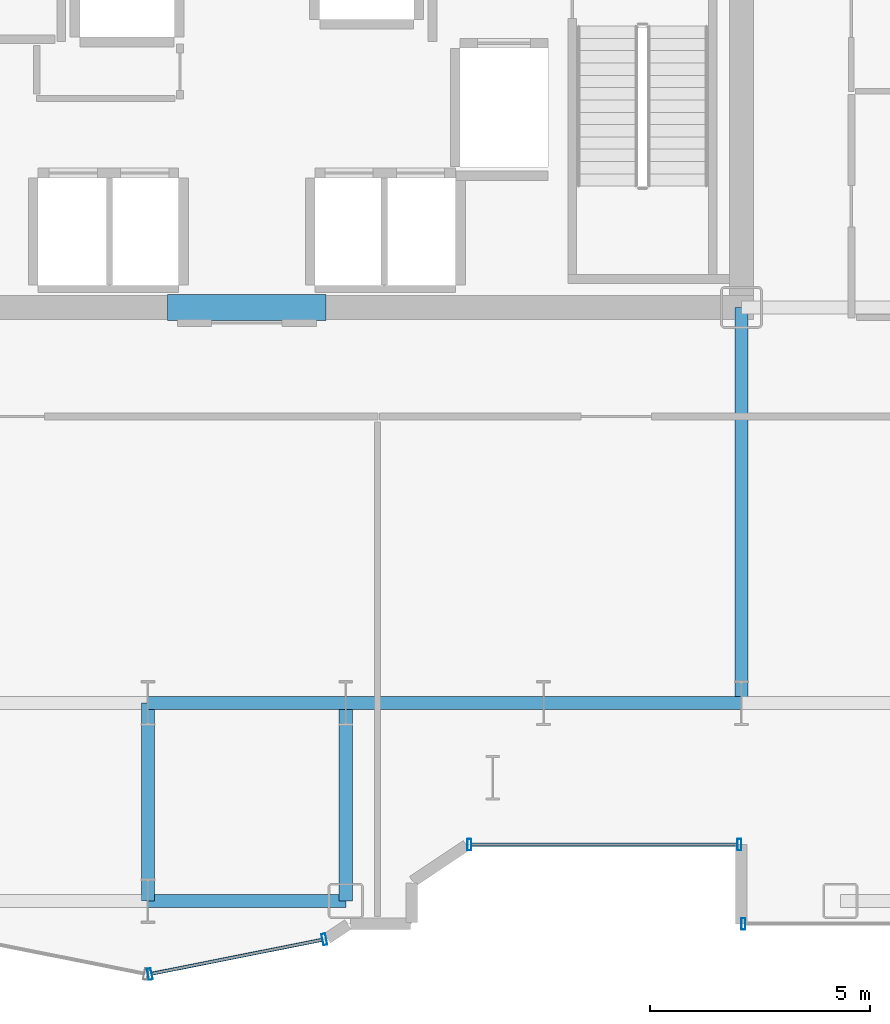
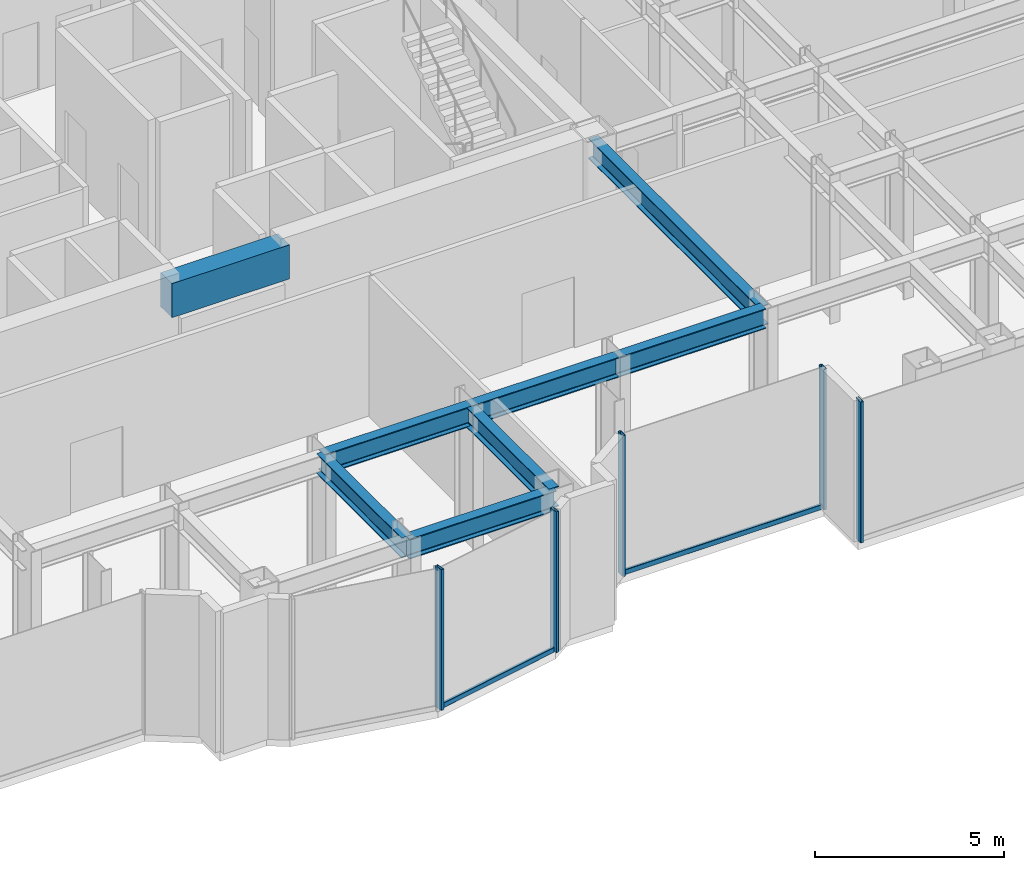
# One storey, part 6 of 27: 8 beams, 7 members, 3 elements without a shape of their own.
"""IFC4 building model written with IfcOpenShell, lengths in metres."""

from ifc_helpers import new_model, si_unit, direction, frame, origin, origin_2d, place, context, subcontext, project, spatial, rectangle, hollow_rectangle, i_section, extrude, source, transform, mapped, material, layer, layer_set, material_profile, profile_set, type_object, element, aggregate, save


model = new_model("IFC4")

# Units and contexts
model_context = context("Model", 3, precision=1e-05, world=origin(), true_north=direction((0.0, 1.0)))
body_context = subcontext(model_context, "Body", "Model", "MODEL_VIEW")
ifc_project = project(units=[si_unit("LENGTHUNIT", "METRE"), si_unit("AREAUNIT", "SQUARE_METRE"), si_unit("VOLUMEUNIT", "CUBIC_METRE"), si_unit("PLANEANGLEUNIT", "RADIAN"), si_unit("MASSUNIT", "GRAM", prefix="KILO")], contexts=[model_context])

# Site, building, storey
site_placement = place(None, origin())
site = spatial("IfcSite", under=ifc_project, at=site_placement, CompositionType="ELEMENT")
building_placement = place(site_placement, origin())
building = spatial("IfcBuilding", under=site, at=building_placement, Name="Nefas-Gora Pilgrimage Tower", CompositionType="ELEMENT")
storey_placement = place(building_placement, frame((0.0, 0.0, 144.0)))
storey = spatial("IfcBuildingStorey", under=building, at=storey_placement, Name="L35", CompositionType="ELEMENT", Elevation=144.0)

# Beams
ifc_material_1 = material(Name="Concrete C60/75", Category="concrete")
ifc_material_profile_1 = material_profile(ifc_material_1, rectangle(XDim=0.60009765625, YDim=1.10009765625, at=origin_2d()), Name="RC 600x1100")
ifc_profile_set_1 = profile_set([ifc_material_profile_1], Name="Concrete C60/75")
beam_type_1 = type_object("IfcBeamType", Name="BM-LIN-RC1100", PredefinedType="LINTEL", material=ifc_profile_set_1)
shared_shape_1 = source(origin(), body_context, "Body", "SweptSolid", [
    extrude(rectangle(XDim=0.60009765625, YDim=1.10009765625, at=origin_2d()), origin(), (0.0, 0.0, 1.0), 3.60009765625),
])
beam_1_placement = place(storey_placement, frame((-1.800048828125, -9.0, 4.0), z_axis=(1.0, 0.0, 0.0), x_axis=(0.0, 1.0, 0.0)))
element("IfcBeam", 1, at=beam_1_placement, inside=storey, type_object=beam_type_1, Name="L35 Core Coupling Lintel Beam S", PredefinedType="LINTEL", context=body_context, shape_type="MappedRepresentation", body=[
    mapped(shared_shape_1, transform((0.0, 0.0, 0.0), x_axis=(1.0, 0.0, 0.0), y_axis=(0.0, 1.0, 0.0), z_axis=(0.0, 0.0, 1.0), scale=1.0)),
])
ifc_material_2 = material(Name="Steel S355", Category="steel")
ifc_material_profile_2 = material_profile(ifc_material_2, i_section(OverallWidth=0.300048828125, OverallDepth=0.64990234375, WebThickness=0.01611328125, FlangeThickness=0.031005859375, FilletRadius=0.027099609375, at=origin_2d()), Name="HEB 650")
ifc_profile_set_2 = profile_set([ifc_material_profile_2], Name="Steel S355")
beam_type_2 = type_object("IfcBeamType", Name="BM-GIR-HEB650", PredefinedType="BEAM", material=ifc_profile_set_2)
shared_shape_2 = source(origin(), body_context, "Body", "SweptSolid", [
    extrude(i_section(OverallWidth=0.300048828125, OverallDepth=0.64990234375, WebThickness=0.01611328125, FlangeThickness=0.031005859375, FilletRadius=0.027099609375, at=origin_2d()), origin(), (0.0, 0.0, 1.0), 9.0),
])
beam_2_placement = place(storey_placement, frame((11.25, -18.0, 4.22509765625), z_axis=(0.0, 1.0, 0.0), x_axis=(-1.0, 0.0, 0.0)))
element("IfcBeam", 2, at=beam_2_placement, inside=storey, type_object=beam_type_2, Name="L35 G-03 beam", PredefinedType="BEAM", context=body_context, shape_type="MappedRepresentation", body=[
    mapped(shared_shape_2, transform((0.0, 0.0, 0.0), x_axis=(1.0, 0.0, 0.0), y_axis=(0.0, 1.0, 0.0), z_axis=(0.0, 0.0, 1.0), scale=1.0)),
])
shared_shape_3 = source(origin(), body_context, "Body", "SweptSolid", [
    extrude(i_section(OverallWidth=0.300048828125, OverallDepth=0.64990234375, WebThickness=0.01611328125, FlangeThickness=0.031005859375, FilletRadius=0.027099609375, at=origin_2d()), origin(), (0.0, 0.0, 1.0), 4.5),
])
for number, where, z_axis, x_axis, name in (
    (3, (-2.25, -22.5, 4.22509765625), (0.0, 1.0, 0.0), (-1.0, 0.0, 0.0), "L35 G-03 beam"),
    (4, (-2.25, -22.5, 4.22509765625), (1.0, 0.0, 0.0), (0.0, 1.0, 0.0), "L35 G-03 beam"),
    (5, (-2.25, -18.0, 4.22509765625), (1.0, 0.0, 0.0), (0.0, 1.0, 0.0), "L35 G-03 beam"),
    (6, (2.25, -22.5, 4.22509765625), (0.0, 1.0, 0.0), (-1.0, 0.0, 0.0), "L35 G-03 beam"),
    (7, (2.25, -18.0, 4.22509765625), (1.0, 0.0, 0.0), (0.0, 1.0, 0.0), "L35 G-03 beam"),
    (8, (6.75, -18.0, 4.22509765625), (1.0, 0.0, 0.0), (0.0, 1.0, 0.0), "L35 G-03 beam"),
):
    element("IfcBeam", number, at=place(storey_placement, frame(where, z_axis=z_axis, x_axis=x_axis)), inside=storey, type_object=beam_type_2, Name=name, PredefinedType="BEAM", context=body_context, shape_type="MappedRepresentation", body=[
        mapped(shared_shape_3, transform((0.0, 0.0, 0.0), x_axis=(1.0, 0.0, 0.0), y_axis=(0.0, 1.0, 0.0), z_axis=(0.0, 0.0, 1.0), scale=1.0)),
    ])

# Curtain wall, member
ifc_material_3 = material(Name="Dark ceramic-fritted solar-control aluminium-glass curtain wall", Category="aluminium")
ifc_layer_1 = layer(ifc_material_3, 0.219970703125)
ifc_layer_set_1 = layer_set([ifc_layer_1], Name="Dark ceramic-fritted solar-control aluminium-glass curtain wall")
curtain_wall_type_1 = type_object("IfcCurtainWallType", Name="CW-SYS-5", PredefinedType="NOTDEFINED", material=ifc_layer_set_1)
curtain_wall_1_placement = place(storey_placement, origin())
curtain_wall_1 = element("IfcCurtainWall", 9, at=curtain_wall_1_placement, inside=storey, type_object=curtain_wall_type_1, Name="L35 Unitised Curtain Wall CW5", PredefinedType="NOTDEFINED")
ifc_material_4 = material(Name="Anodised architectural aluminium", Category="aluminium")
ifc_material_profile_3 = material_profile(ifc_material_4, hollow_rectangle(XDim=0.080078125, YDim=0.159912109375, WallThickness=0.00439453125, InnerFilletRadius=0.00439453125, OuterFilletRadius=0.009033203125, at=origin_2d()), Name="ALU TRANSOM 80x160")
ifc_profile_set_3 = profile_set([ifc_material_profile_3], Name="Anodised architectural aluminium")
member_type_1 = type_object("IfcMemberType", Name="CWM-TRN-5", PredefinedType="USERDEFINED", material=ifc_profile_set_3)
shared_shape_4 = source(origin(), body_context, "Body", "SweptSolid", [
    extrude(hollow_rectangle(XDim=0.080078125, YDim=0.159912109375, WallThickness=0.00439453125, InnerFilletRadius=0.00439453125, OuterFilletRadius=0.009033203125, at=origin_2d()), origin(), (0.0, 0.0, 1.0), 6.052001953125),
])
member_1_placement = place(storey_placement, frame((5.10791015625, -21.219970703125, 0.050048828125), z_axis=(1.0, 0.0, 0.0), x_axis=(0.0, 1.0, 0.0)))
member_1 = element("IfcMember", 10, at=member_1_placement, type_object=member_type_1, Name="CW5 Spandrel Transom", ObjectType="TRANSOM", PredefinedType="USERDEFINED", context=body_context, shape_type="MappedRepresentation", body=[
    mapped(shared_shape_4, transform((0.0, 0.0, 0.0), x_axis=(1.0, 0.0, 0.0), y_axis=(0.0, 1.0, 0.0), z_axis=(0.0, 0.0, 1.0), scale=1.0)),
])

curtain_wall_2_placement = place(storey_placement, origin())
curtain_wall_2 = element("IfcCurtainWall", 11, at=curtain_wall_2_placement, inside=storey, type_object=curtain_wall_type_1, Name="L35 Unitised Curtain Wall CW5", PredefinedType="NOTDEFINED")
shared_shape_5 = source(origin(), body_context, "Body", "SweptSolid", [
    extrude(hollow_rectangle(XDim=0.080078125, YDim=0.159912109375, WallThickness=0.00439453125, InnerFilletRadius=0.00439453125, OuterFilletRadius=0.009033203125, at=origin_2d()), origin(), (0.0, 0.0, 1.0), 3.95654296875),
])
member_2_placement = place(storey_placement, frame((-2.16162109375, -24.15478515625, 0.050048828125), z_axis=(0.980781880918, 0.195107411605, 0.0), x_axis=(-0.195107411605, 0.980781880918, 0.0)))
member_2 = element("IfcMember", 12, at=member_2_placement, type_object=member_type_1, Name="CW5 Spandrel Transom", ObjectType="TRANSOM", PredefinedType="USERDEFINED", context=body_context, shape_type="MappedRepresentation", body=[
    mapped(shared_shape_5, transform((0.0, 0.0, 0.0), x_axis=(1.0, 0.0, 0.0), y_axis=(0.0, 1.0, 0.0), z_axis=(0.0, 0.0, 1.0), scale=1.0)),
])

# Member
ifc_material_profile_4 = material_profile(ifc_material_4, hollow_rectangle(XDim=0.090087890625, YDim=0.260009765625, WallThickness=0.006103515625, InnerFilletRadius=0.006103515625, OuterFilletRadius=0.011962890625, at=origin_2d()), Name="ALU MULLION 90x260")
ifc_profile_set_4 = profile_set([ifc_material_profile_4], Name="Anodised architectural aluminium")
member_type_2 = type_object("IfcMemberType", Name="CWM-MUL-5", PredefinedType="MULLION", material=ifc_profile_set_4)
shared_shape_6 = source(origin(), body_context, "Body", "SweptSolid", [
    extrude(hollow_rectangle(XDim=0.090087890625, YDim=0.260009765625, WallThickness=0.006103515625, InnerFilletRadius=0.006103515625, OuterFilletRadius=0.011962890625, at=origin_2d()), origin(), (0.0, 0.0, 1.0), 4.550048828125),
])
member_3_placement = place(storey_placement, frame((5.06298828125, -21.219970703125, 0.0), z_axis=(0.0, 0.0, 1.0), x_axis=(1.0, 0.0, 0.0)))
member_3 = element("IfcMember", 13, at=member_3_placement, type_object=member_type_2, Name="CW5 Mullion 1", PredefinedType="MULLION", context=body_context, shape_type="MappedRepresentation", body=[
    mapped(shared_shape_6, transform((0.0, 0.0, 0.0), x_axis=(1.0, 0.0, 0.0), y_axis=(0.0, 1.0, 0.0), z_axis=(0.0, 0.0, 1.0), scale=1.0)),
])

member_4_placement = place(storey_placement, frame((11.205078125, -21.219970703125, 0.0), z_axis=(0.0, 0.0, 1.0), x_axis=(1.0, 0.0, 0.0)))
member_4 = element("IfcMember", 14, at=member_4_placement, type_object=member_type_2, Name="CW5 Mullion 2", PredefinedType="MULLION", context=body_context, shape_type="MappedRepresentation", body=[
    mapped(shared_shape_6, transform((0.0, 0.0, 0.0), x_axis=(1.0, 0.0, 0.0), y_axis=(0.0, 1.0, 0.0), z_axis=(0.0, 0.0, 1.0), scale=1.0)),
])

aggregate(curtain_wall_1, [member_3, member_4, member_1])

member_5_placement = place(storey_placement, frame((-2.205810546875, -24.16357421875, 0.0), z_axis=(0.0, 0.0, 1.0), x_axis=(0.980782896852, 0.195102304554, 0.0)))
member_5 = element("IfcMember", 15, at=member_5_placement, type_object=member_type_2, Name="CW5 Mullion 1", PredefinedType="MULLION", context=body_context, shape_type="MappedRepresentation", body=[
    mapped(shared_shape_6, transform((0.0, 0.0, 0.0), x_axis=(1.0, 0.0, 0.0), y_axis=(0.0, 1.0, 0.0), z_axis=(0.0, 0.0, 1.0), scale=1.0)),
])

member_6_placement = place(storey_placement, frame((1.76318359375, -23.3740234375, 0.0), z_axis=(0.0, 0.0, 1.0), x_axis=(0.980782896852, 0.195102304554, 0.0)))
member_6 = element("IfcMember", 16, at=member_6_placement, type_object=member_type_2, Name="CW5 Mullion 2", PredefinedType="MULLION", context=body_context, shape_type="MappedRepresentation", body=[
    mapped(shared_shape_6, transform((0.0, 0.0, 0.0), x_axis=(1.0, 0.0, 0.0), y_axis=(0.0, 1.0, 0.0), z_axis=(0.0, 0.0, 1.0), scale=1.0)),
])

aggregate(curtain_wall_2, [member_5, member_6, member_2])

# Curtain wall, member
ifc_layer_2 = layer(ifc_material_3, 0.219970703125)
ifc_layer_set_2 = layer_set([ifc_layer_2], Name="Dark ceramic-fritted solar-control aluminium-glass curtain wall")
curtain_wall_type_2 = type_object("IfcCurtainWallType", Name="CW-SYS-2", PredefinedType="NOTDEFINED", material=ifc_layer_set_2)
curtain_wall_3_placement = place(storey_placement, origin())
curtain_wall_3 = element("IfcCurtainWall", 17, at=curtain_wall_3_placement, inside=storey, type_object=curtain_wall_type_2, Name="L35 Unitised Curtain Wall CW2", PredefinedType="NOTDEFINED")
ifc_material_profile_5 = material_profile(ifc_material_4, hollow_rectangle(XDim=0.090087890625, YDim=0.260009765625, WallThickness=0.006103515625, InnerFilletRadius=0.006103515625, OuterFilletRadius=0.011962890625, at=origin_2d()), Name="ALU MULLION 90x260")
ifc_profile_set_5 = profile_set([ifc_material_profile_5], Name="Anodised architectural aluminium")
member_type_3 = type_object("IfcMemberType", Name="CWM-MUL-2", PredefinedType="MULLION", material=ifc_profile_set_5)
shared_shape_7 = source(origin(), body_context, "Body", "SweptSolid", [
    extrude(hollow_rectangle(XDim=0.090087890625, YDim=0.260009765625, WallThickness=0.006103515625, InnerFilletRadius=0.006103515625, OuterFilletRadius=0.011962890625, at=origin_2d()), origin(), (0.0, 0.0, 1.0), 4.550048828125),
])
member_7_placement = place(storey_placement, frame((11.294921875, -23.02001953125, 0.0), z_axis=(0.0, 0.0, 1.0), x_axis=(1.0, 0.0, 0.0)))
member_7 = element("IfcMember", 18, at=member_7_placement, type_object=member_type_3, Name="CW2 Mullion 1", PredefinedType="MULLION", context=body_context, shape_type="MappedRepresentation", body=[
    mapped(shared_shape_7, transform((0.0, 0.0, 0.0), x_axis=(1.0, 0.0, 0.0), y_axis=(0.0, 1.0, 0.0), z_axis=(0.0, 0.0, 1.0), scale=1.0)),
])
aggregate(curtain_wall_3, [member_7])

save(model, "model.ifc")
